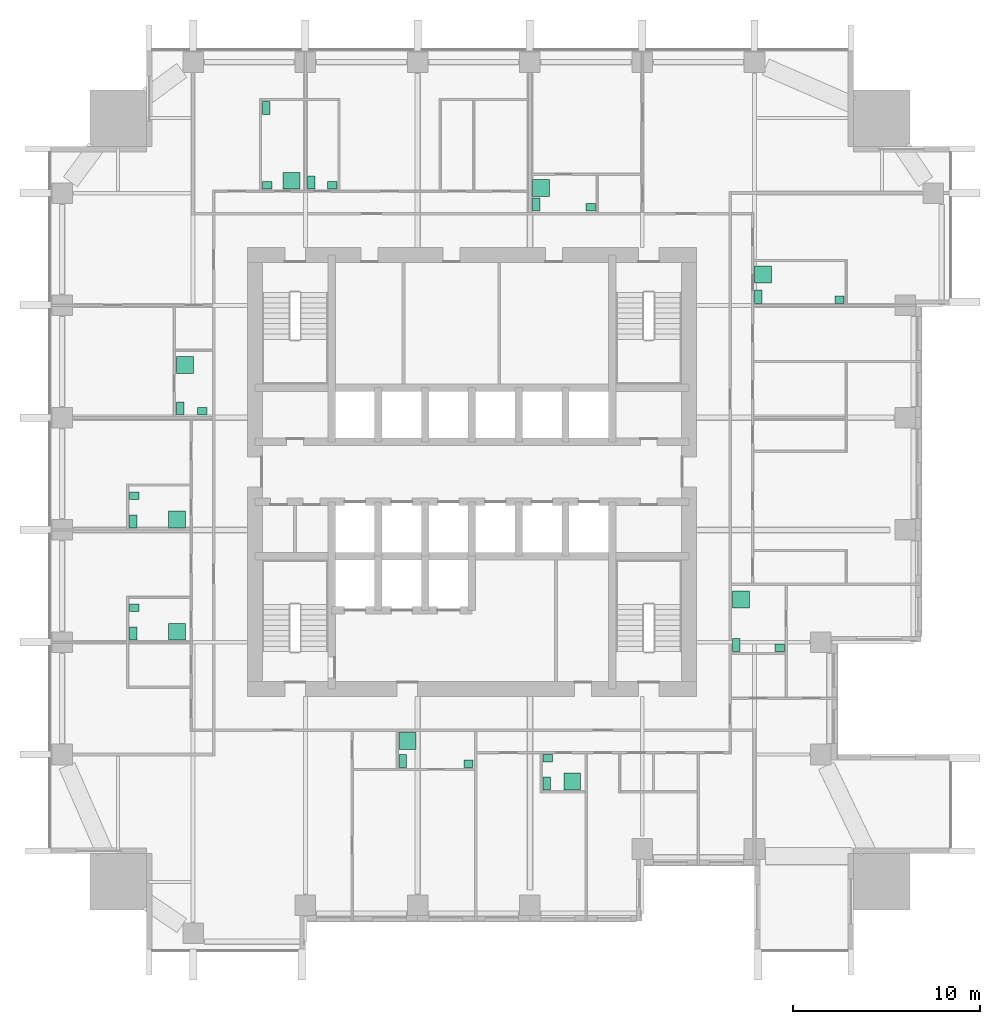
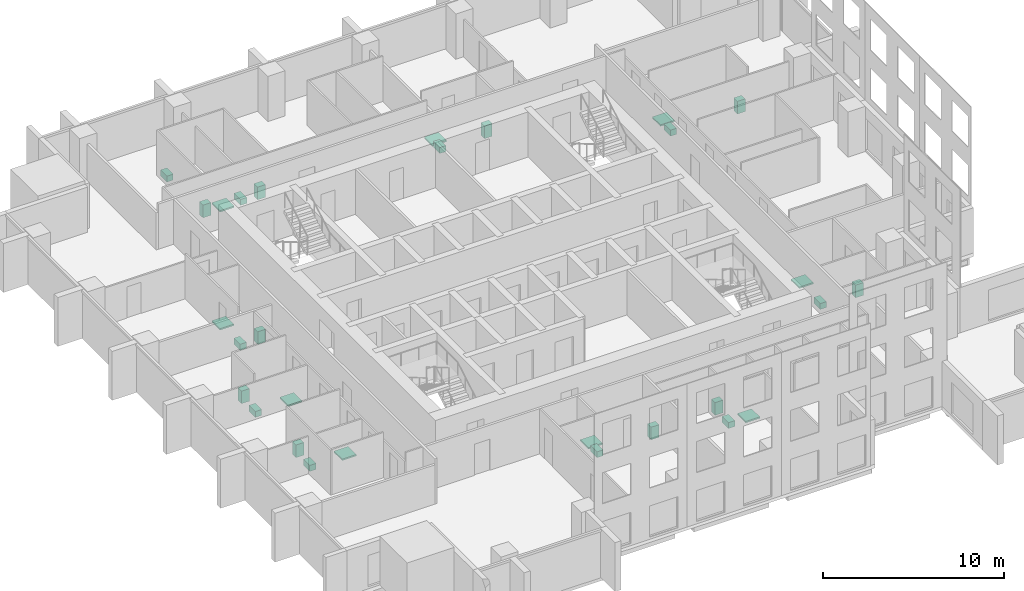
# One storey, part 13 of 13: 29 sanitary terminals.
"""IFC4 building model written with IfcOpenShell, lengths in metres."""

from ifc_helpers import new_model, si_unit, direction, frame, origin, origin_2d, place, context, subcontext, project, spatial, rectangle, extrude, element, save


model = new_model("IFC4")

# Units and contexts
model_context = context("Model", 3, precision=1e-05, world=origin(), true_north=direction((0.0, 1.0)))
body_context = subcontext(model_context, "Body", "Model", "MODEL_VIEW")
ifc_project = project(units=[si_unit("LENGTHUNIT", "METRE"), si_unit("AREAUNIT", "SQUARE_METRE"), si_unit("VOLUMEUNIT", "CUBIC_METRE"), si_unit("PLANEANGLEUNIT", "RADIAN"), si_unit("MASSUNIT", "GRAM", prefix="KILO")], contexts=[model_context])

# Site, building, storey
site_placement = place(None, origin())
site = spatial("IfcSite", under=ifc_project, at=site_placement, CompositionType="ELEMENT")
building_placement = place(site_placement, origin())
building = spatial("IfcBuilding", under=site, at=building_placement, Name="Amberfall Residences", CompositionType="ELEMENT")
storey_placement = place(building_placement, frame((0.0, 0.0, 78.699951171875)))
storey = spatial("IfcBuildingStorey", under=building, at=storey_placement, Name="L20", CompositionType="ELEMENT", Elevation=78.699951171875)

# Sanitary terminals
sanitary_terminal_1_placement = place(storey_placement, frame((70.81005859375, 30.06005859375, 0.0), z_axis=(0.0, 0.0, 1.0), x_axis=(1.0, 0.0, 0.0)))
element("IfcSanitaryTerminal", 1, at=sanitary_terminal_1_placement, inside=storey, Name="Water closet 2001", PredefinedType="TOILETPAN", context=body_context, shape_type="SweptSolid", body=[
    extrude(rectangle(XDim=0.39990234375, YDim=0.699951171875, at=origin_2d()), origin(), (0.0, 0.0, 1.0), 0.39990234375),
])
sanitary_terminal_2_placement = place(storey_placement, frame((74.31494140625, 29.909912109375, 0.0), z_axis=(0.0, 0.0, 1.0), x_axis=(1.0, 0.0, 0.0)))
element("IfcSanitaryTerminal", 2, at=sanitary_terminal_2_placement, inside=storey, Name="Basin 2001", PredefinedType="WASHHANDBASIN", context=body_context, shape_type="SweptSolid", body=[
    extrude(rectangle(XDim=0.5, YDim=0.39990234375, at=origin_2d()), origin(), (0.0, 0.0, 1.0), 0.85009765625),
])
sanitary_terminal_3_placement = place(storey_placement, frame((71.06005859375, 31.114990234375, 0.0), z_axis=(0.0, 0.0, 1.0), x_axis=(1.0, 0.0, 0.0)))
element("IfcSanitaryTerminal", 3, at=sanitary_terminal_3_placement, inside=storey, Name="Shower tray 2001", PredefinedType="SHOWER", context=body_context, shape_type="SweptSolid", body=[
    extrude(rectangle(XDim=0.89990234375, YDim=0.89990234375, at=origin_2d()), origin(), (0.0, 0.0, 1.0), 0.10009765625),
])
sanitary_terminal_4_placement = place(storey_placement, frame((78.510009765625, 28.860107421875, 0.0), z_axis=(0.0, 0.0, 1.0), x_axis=(1.0, 0.0, 0.0)))
element("IfcSanitaryTerminal", 4, at=sanitary_terminal_4_placement, inside=storey, Name="Water closet 2002", PredefinedType="TOILETPAN", context=body_context, shape_type="SweptSolid", body=[
    extrude(rectangle(XDim=0.39990234375, YDim=0.699951171875, at=origin_2d()), origin(), (0.0, 0.0, 1.0), 0.39990234375),
])
sanitary_terminal_5_placement = place(storey_placement, frame((78.56005859375, 30.18994140625, 0.0), z_axis=(0.0, 0.0, 1.0), x_axis=(1.0, 0.0, 0.0)))
element("IfcSanitaryTerminal", 5, at=sanitary_terminal_5_placement, inside=storey, Name="Basin 2002", PredefinedType="WASHHANDBASIN", context=body_context, shape_type="SweptSolid", body=[
    extrude(rectangle(XDim=0.5, YDim=0.39990234375, at=origin_2d()), origin(), (0.0, 0.0, 1.0), 0.85009765625),
])
sanitary_terminal_6_placement = place(storey_placement, frame((79.857177734375, 28.9599609375, 0.0), z_axis=(0.0, 0.0, 1.0), x_axis=(1.0, 0.0, 0.0)))
element("IfcSanitaryTerminal", 6, at=sanitary_terminal_6_placement, inside=storey, Name="Shower tray 2002", PredefinedType="SHOWER", context=body_context, shape_type="SweptSolid", body=[
    extrude(rectangle(XDim=0.89990234375, YDim=0.89990234375, at=origin_2d()), origin(), (0.0, 0.0, 1.0), 0.10009765625),
])
sanitary_terminal_7_placement = place(storey_placement, frame((88.635009765625, 36.260009765625, 0.0), z_axis=(0.0, 0.0, 1.0), x_axis=(1.0, 0.0, 0.0)))
element("IfcSanitaryTerminal", 7, at=sanitary_terminal_7_placement, inside=storey, Name="Water closet 2003", PredefinedType="TOILETPAN", context=body_context, shape_type="SweptSolid", body=[
    extrude(rectangle(XDim=0.39990234375, YDim=0.699951171875, at=origin_2d()), origin(), (0.0, 0.0, 1.0), 0.39990234375),
])
sanitary_terminal_8_placement = place(storey_placement, frame((90.93994140625, 36.110107421875, 0.0), z_axis=(0.0, 0.0, 1.0), x_axis=(1.0, 0.0, 0.0)))
element("IfcSanitaryTerminal", 8, at=sanitary_terminal_8_placement, inside=storey, Name="Basin 2003", PredefinedType="WASHHANDBASIN", context=body_context, shape_type="SweptSolid", body=[
    extrude(rectangle(XDim=0.5, YDim=0.39990234375, at=origin_2d()), origin(), (0.0, 0.0, 1.0), 0.85009765625),
])
sanitary_terminal_9_placement = place(storey_placement, frame((88.885009765625, 38.6826171875, 0.0), z_axis=(0.0, 0.0, 1.0), x_axis=(1.0, 0.0, 0.0)))
element("IfcSanitaryTerminal", 9, at=sanitary_terminal_9_placement, inside=storey, Name="Shower tray 2003", PredefinedType="SHOWER", context=body_context, shape_type="SweptSolid", body=[
    extrude(rectangle(XDim=0.89990234375, YDim=0.89990234375, at=origin_2d()), origin(), (0.0, 0.0, 1.0), 0.10009765625),
])
sanitary_terminal_10_placement = place(storey_placement, frame((89.81005859375, 54.860107421875, 0.0), z_axis=(0.0, 0.0, 1.0), x_axis=(1.0, 0.0, 0.0)))
element("IfcSanitaryTerminal", 10, at=sanitary_terminal_10_placement, inside=storey, Name="Water closet 2004", PredefinedType="TOILETPAN", context=body_context, shape_type="SweptSolid", body=[
    extrude(rectangle(XDim=0.39990234375, YDim=0.699951171875, at=origin_2d()), origin(), (0.0, 0.0, 1.0), 0.39990234375),
])
sanitary_terminal_11_placement = place(storey_placement, frame((94.139892578125, 54.7099609375, 0.0), z_axis=(0.0, 0.0, 1.0), x_axis=(1.0, 0.0, 0.0)))
element("IfcSanitaryTerminal", 11, at=sanitary_terminal_11_placement, inside=storey, Name="Basin 2004", PredefinedType="WASHHANDBASIN", context=body_context, shape_type="SweptSolid", body=[
    extrude(rectangle(XDim=0.5, YDim=0.39990234375, at=origin_2d()), origin(), (0.0, 0.0, 1.0), 0.85009765625),
])
sanitary_terminal_12_placement = place(storey_placement, frame((90.06005859375, 56.05712890625, 0.0), z_axis=(0.0, 0.0, 1.0), x_axis=(1.0, 0.0, 0.0)))
element("IfcSanitaryTerminal", 12, at=sanitary_terminal_12_placement, inside=storey, Name="Shower tray 2004", PredefinedType="SHOWER", context=body_context, shape_type="SweptSolid", body=[
    extrude(rectangle(XDim=0.89990234375, YDim=0.89990234375, at=origin_2d()), origin(), (0.0, 0.0, 1.0), 0.10009765625),
])
sanitary_terminal_13_placement = place(storey_placement, frame((65.909912109375, 60.9599609375, 0.0), z_axis=(0.0, 0.0, 1.0), x_axis=(1.0, 0.0, 0.0)))
element("IfcSanitaryTerminal", 13, at=sanitary_terminal_13_placement, inside=storey, Name="Water closet 2005 1", PredefinedType="TOILETPAN", context=body_context, shape_type="SweptSolid", body=[
    extrude(rectangle(XDim=0.39990234375, YDim=0.699951171875, at=origin_2d()), origin(), (0.0, 0.0, 1.0), 0.39990234375),
])
sanitary_terminal_14_placement = place(storey_placement, frame((67.0400390625, 60.81005859375, 0.0), z_axis=(0.0, 0.0, 1.0), x_axis=(1.0, 0.0, 0.0)))
element("IfcSanitaryTerminal", 14, at=sanitary_terminal_14_placement, inside=storey, Name="Basin 2005 1", PredefinedType="WASHHANDBASIN", context=body_context, shape_type="SweptSolid", body=[
    extrude(rectangle(XDim=0.5, YDim=0.39990234375, at=origin_2d()), origin(), (0.0, 0.0, 1.0), 0.85009765625),
])
sanitary_terminal_15_placement = place(storey_placement, frame((63.510009765625, 64.93994140625, 0.0), z_axis=(0.0, 0.0, 1.0), x_axis=(1.0, 0.0, 0.0)))
element("IfcSanitaryTerminal", 15, at=sanitary_terminal_15_placement, inside=storey, Name="Water closet 2005", PredefinedType="TOILETPAN", context=body_context, shape_type="SweptSolid", body=[
    extrude(rectangle(XDim=0.39990234375, YDim=0.699951171875, at=origin_2d()), origin(), (0.0, 0.0, 1.0), 0.39990234375),
])
sanitary_terminal_16_placement = place(storey_placement, frame((63.56005859375, 60.81005859375, 0.0), z_axis=(0.0, 0.0, 1.0), x_axis=(1.0, 0.0, 0.0)))
element("IfcSanitaryTerminal", 16, at=sanitary_terminal_16_placement, inside=storey, Name="Basin 2005", PredefinedType="WASHHANDBASIN", context=body_context, shape_type="SweptSolid", body=[
    extrude(rectangle(XDim=0.5, YDim=0.39990234375, at=origin_2d()), origin(), (0.0, 0.0, 1.0), 0.85009765625),
])
sanitary_terminal_17_placement = place(storey_placement, frame((64.857177734375, 61.06005859375, 0.0), z_axis=(0.0, 0.0, 1.0), x_axis=(1.0, 0.0, 0.0)))
element("IfcSanitaryTerminal", 17, at=sanitary_terminal_17_placement, inside=storey, Name="Shower tray 2005", PredefinedType="SHOWER", context=body_context, shape_type="SweptSolid", body=[
    extrude(rectangle(XDim=0.89990234375, YDim=0.89990234375, at=origin_2d()), origin(), (0.0, 0.0, 1.0), 0.10009765625),
])
sanitary_terminal_18_placement = place(storey_placement, frame((77.93505859375, 59.784912109375, 0.0), z_axis=(0.0, 0.0, 1.0), x_axis=(1.0, 0.0, 0.0)))
element("IfcSanitaryTerminal", 18, at=sanitary_terminal_18_placement, inside=storey, Name="Water closet 2006", PredefinedType="TOILETPAN", context=body_context, shape_type="SweptSolid", body=[
    extrude(rectangle(XDim=0.39990234375, YDim=0.699951171875, at=origin_2d()), origin(), (0.0, 0.0, 1.0), 0.39990234375),
])
sanitary_terminal_19_placement = place(storey_placement, frame((80.840087890625, 59.635009765625, 0.0), z_axis=(0.0, 0.0, 1.0), x_axis=(1.0, 0.0, 0.0)))
element("IfcSanitaryTerminal", 19, at=sanitary_terminal_19_placement, inside=storey, Name="Basin 2006", PredefinedType="WASHHANDBASIN", context=body_context, shape_type="SweptSolid", body=[
    extrude(rectangle(XDim=0.5, YDim=0.39990234375, at=origin_2d()), origin(), (0.0, 0.0, 1.0), 0.85009765625),
])
sanitary_terminal_20_placement = place(storey_placement, frame((78.18505859375, 60.680908203125, 0.0), z_axis=(0.0, 0.0, 1.0), x_axis=(1.0, 0.0, 0.0)))
element("IfcSanitaryTerminal", 20, at=sanitary_terminal_20_placement, inside=storey, Name="Shower tray 2006", PredefinedType="SHOWER", context=body_context, shape_type="SweptSolid", body=[
    extrude(rectangle(XDim=0.89990234375, YDim=0.89990234375, at=origin_2d()), origin(), (0.0, 0.0, 1.0), 0.10009765625),
])
sanitary_terminal_21_placement = place(storey_placement, frame((56.409912109375, 36.860107421875, 0.0), z_axis=(0.0, 0.0, 1.0), x_axis=(1.0, 0.0, 0.0)))
element("IfcSanitaryTerminal", 21, at=sanitary_terminal_21_placement, inside=storey, Name="Water closet 2007", PredefinedType="TOILETPAN", context=body_context, shape_type="SweptSolid", body=[
    extrude(rectangle(XDim=0.39990234375, YDim=0.699951171875, at=origin_2d()), origin(), (0.0, 0.0, 1.0), 0.39990234375),
])
sanitary_terminal_22_placement = place(storey_placement, frame((56.4599609375, 38.235595703125, 0.0), z_axis=(0.0, 0.0, 1.0), x_axis=(1.0, 0.0, 0.0)))
element("IfcSanitaryTerminal", 22, at=sanitary_terminal_22_placement, inside=storey, Name="Basin 2007", PredefinedType="WASHHANDBASIN", context=body_context, shape_type="SweptSolid", body=[
    extrude(rectangle(XDim=0.5, YDim=0.39990234375, at=origin_2d()), origin(), (0.0, 0.0, 1.0), 0.85009765625),
])
sanitary_terminal_23_placement = place(storey_placement, frame((58.732666015625, 36.9599609375, 0.0), z_axis=(0.0, 0.0, 1.0), x_axis=(1.0, 0.0, 0.0)))
element("IfcSanitaryTerminal", 23, at=sanitary_terminal_23_placement, inside=storey, Name="Shower tray 2007", PredefinedType="SHOWER", context=body_context, shape_type="SweptSolid", body=[
    extrude(rectangle(XDim=0.89990234375, YDim=0.89990234375, at=origin_2d()), origin(), (0.0, 0.0, 1.0), 0.10009765625),
])
sanitary_terminal_24_placement = place(storey_placement, frame((56.409912109375, 42.860107421875, 0.0), z_axis=(0.0, 0.0, 1.0), x_axis=(1.0, 0.0, 0.0)))
element("IfcSanitaryTerminal", 24, at=sanitary_terminal_24_placement, inside=storey, Name="Water closet 2007", PredefinedType="TOILETPAN", context=body_context, shape_type="SweptSolid", body=[
    extrude(rectangle(XDim=0.39990234375, YDim=0.699951171875, at=origin_2d()), origin(), (0.0, 0.0, 1.0), 0.39990234375),
])
sanitary_terminal_25_placement = place(storey_placement, frame((56.4599609375, 44.235595703125, 0.0), z_axis=(0.0, 0.0, 1.0), x_axis=(1.0, 0.0, 0.0)))
element("IfcSanitaryTerminal", 25, at=sanitary_terminal_25_placement, inside=storey, Name="Basin 2007", PredefinedType="WASHHANDBASIN", context=body_context, shape_type="SweptSolid", body=[
    extrude(rectangle(XDim=0.5, YDim=0.39990234375, at=origin_2d()), origin(), (0.0, 0.0, 1.0), 0.85009765625),
])
sanitary_terminal_26_placement = place(storey_placement, frame((58.732666015625, 42.9599609375, 0.0), z_axis=(0.0, 0.0, 1.0), x_axis=(1.0, 0.0, 0.0)))
element("IfcSanitaryTerminal", 26, at=sanitary_terminal_26_placement, inside=storey, Name="Shower tray 2007", PredefinedType="SHOWER", context=body_context, shape_type="SweptSolid", body=[
    extrude(rectangle(XDim=0.89990234375, YDim=0.89990234375, at=origin_2d()), origin(), (0.0, 0.0, 1.0), 0.10009765625),
])
sanitary_terminal_27_placement = place(storey_placement, frame((58.909912109375, 48.885009765625, 0.0), z_axis=(0.0, 0.0, 1.0), x_axis=(1.0, 0.0, 0.0)))
element("IfcSanitaryTerminal", 27, at=sanitary_terminal_27_placement, inside=storey, Name="Water closet 2008", PredefinedType="TOILETPAN", context=body_context, shape_type="SweptSolid", body=[
    extrude(rectangle(XDim=0.39990234375, YDim=0.699951171875, at=origin_2d()), origin(), (0.0, 0.0, 1.0), 0.39990234375),
])
sanitary_terminal_28_placement = place(storey_placement, frame((60.089111328125, 48.735107421875, 0.0), z_axis=(0.0, 0.0, 1.0), x_axis=(1.0, 0.0, 0.0)))
element("IfcSanitaryTerminal", 28, at=sanitary_terminal_28_placement, inside=storey, Name="Basin 2008", PredefinedType="WASHHANDBASIN", context=body_context, shape_type="SweptSolid", body=[
    extrude(rectangle(XDim=0.5, YDim=0.39990234375, at=origin_2d()), origin(), (0.0, 0.0, 1.0), 0.85009765625),
])
sanitary_terminal_29_placement = place(storey_placement, frame((59.159912109375, 51.216796875, 0.0), z_axis=(0.0, 0.0, 1.0), x_axis=(1.0, 0.0, 0.0)))
element("IfcSanitaryTerminal", 29, at=sanitary_terminal_29_placement, inside=storey, Name="Shower tray 2008", PredefinedType="SHOWER", context=body_context, shape_type="SweptSolid", body=[
    extrude(rectangle(XDim=0.89990234375, YDim=0.89990234375, at=origin_2d()), origin(), (0.0, 0.0, 1.0), 0.10009765625),
])

save(model, "model.ifc")
